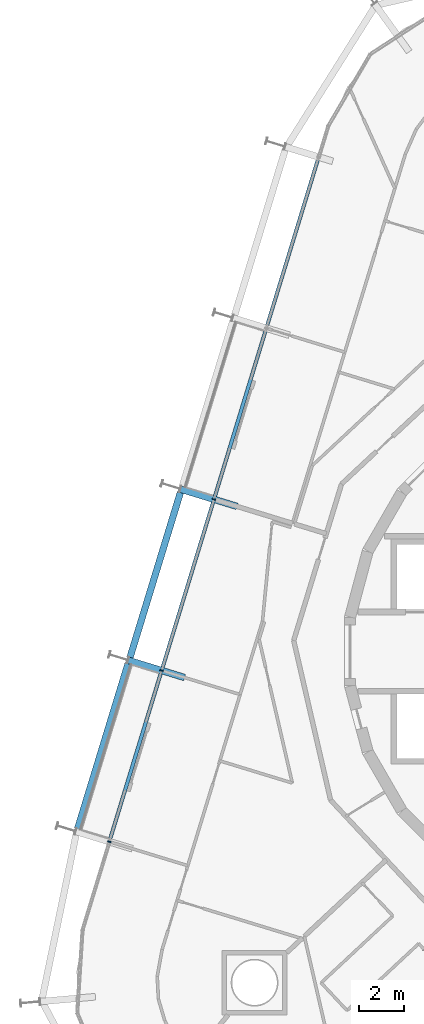
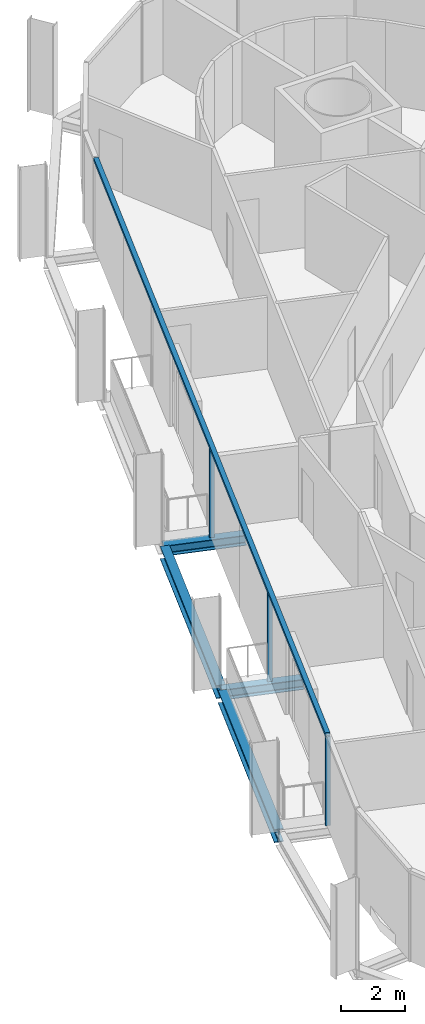
# One storey, part 5 of 18: 4 beams, 4 members, 2 elements without a shape of their own.
"""IFC4 building model written with IfcOpenShell, lengths in metres."""

from ifc_helpers import new_model, si_unit, direction, frame, origin, origin_2d, place, context, subcontext, project, spatial, rectangle, i_section, extrude, material, layer, layer_set, material_profile, profile_set, type_object, element, aggregate, save


model = new_model("IFC4")

# Units and contexts
model_context = context("Model", 3, precision=1e-05, world=origin(), true_north=direction((0.0, 1.0)))
body_context = subcontext(model_context, "Body", "Model", "MODEL_VIEW")
ifc_project = project(units=[si_unit("LENGTHUNIT", "METRE"), si_unit("AREAUNIT", "SQUARE_METRE"), si_unit("VOLUMEUNIT", "CUBIC_METRE"), si_unit("PLANEANGLEUNIT", "RADIAN"), si_unit("MASSUNIT", "GRAM", prefix="KILO")], contexts=[model_context])

# Site, building, storey
site_placement = place(None, origin())
site = spatial("IfcSite", under=ifc_project, at=site_placement, CompositionType="ELEMENT")
building_placement = place(site_placement, origin())
building = spatial("IfcBuilding", under=site, at=building_placement, Name="Spindle Arch Residences", CompositionType="ELEMENT")
storey_placement = place(building_placement, frame((0.0, 0.0, 116.89990234375)))
storey = spatial("IfcBuildingStorey", under=building, at=storey_placement, Name="L28", CompositionType="ELEMENT", Elevation=116.89990234375)

# Curtain wall, members
ifc_material_1 = material(Name="Aluminium bronze unitised frame with tinted glass", Category="aluminium")
ifc_layer_1 = layer(ifc_material_1, 0.159912109375)
ifc_layer_set_1 = layer_set([ifc_layer_1], Name="CW-C typical residential unitised wall")
curtain_wall_type_1 = type_object("IfcCurtainWallType", Name="CW-C typical residential unitised wall", PredefinedType="NOTDEFINED", material=ifc_layer_set_1)
curtain_wall_1_placement = place(storey_placement, origin())
curtain_wall_1 = element("IfcCurtainWall", 1, at=curtain_wall_1_placement, inside=storey, type_object=curtain_wall_type_1, Name="CW-C L28 run 4", PredefinedType="NOTDEFINED")
ifc_material_2 = material(Name="Aluminium bronze anodised mullion", Category="aluminium")
ifc_material_profile_1 = material_profile(ifc_material_2, rectangle(XDim=0.159912109375, YDim=0.06005859375, at=origin_2d()), Name="MU 60x160")
ifc_profile_set_1 = profile_set([ifc_material_profile_1], Name="Aluminium bronze anodised mullion")
member_type_1 = type_object("IfcMemberType", Name="Bronze mullion 60x160", PredefinedType="MULLION", material=ifc_profile_set_1)
member_1_placement = place(storey_placement, frame((-17.750732421875, 6.826171875, -0.3798828125), z_axis=(0.0, 0.0, 1.0), x_axis=(0.956304755963, -0.292371704723, 0.0)))
member_1 = element("IfcMember", 2, at=member_1_placement, type_object=member_type_1, Name="CW-C mullion 14", PredefinedType="MULLION", context=body_context, shape_type="SweptSolid", body=[
    extrude(rectangle(XDim=0.159912109375, YDim=0.06005859375, at=origin_2d()), origin(), (0.0, 0.0, 1.0), 3.3798828125),
])
member_2_placement = place(storey_placement, frame((-20.09814453125, -0.85205078125, -0.3798828125), z_axis=(0.0, 0.0, 1.0), x_axis=(0.956304755963, -0.292371704723, 0.0)))
member_2 = element("IfcMember", 3, at=member_2_placement, type_object=member_type_1, Name="CW-C mullion 15", PredefinedType="MULLION", context=body_context, shape_type="SweptSolid", body=[
    extrude(rectangle(XDim=0.159912109375, YDim=0.06005859375, at=origin_2d()), origin(), (0.0, 0.0, 1.0), 3.3798828125),
])

# Curtain wall, member
ifc_material_3 = material(Name="Aluminium bronze unitised frame with tinted glass", Category="aluminium")
ifc_layer_2 = layer(ifc_material_3, 0.159912109375)
ifc_layer_set_2 = layer_set([ifc_layer_2], Name="CW-D corner wall on the fillet arcs")
curtain_wall_type_2 = type_object("IfcCurtainWallType", Name="CW-D corner wall on the fillet arcs", PredefinedType="NOTDEFINED", material=ifc_layer_set_2)
curtain_wall_2_placement = place(storey_placement, origin())
curtain_wall_2 = element("IfcCurtainWall", 4, at=curtain_wall_2_placement, inside=storey, type_object=curtain_wall_type_2, Name="CW-D L28 run 5", PredefinedType="NOTDEFINED")
member_3_placement = place(storey_placement, frame((-22.44580078125, -8.5302734375, -0.3798828125), z_axis=(0.0, 0.0, 1.0), x_axis=(0.956304755963, -0.292371704723, 0.0)))
member_3 = element("IfcMember", 5, at=member_3_placement, type_object=member_type_1, Name="CW-D mullion 00", PredefinedType="MULLION", context=body_context, shape_type="SweptSolid", body=[
    extrude(rectangle(XDim=0.159912109375, YDim=0.06005859375, at=origin_2d()), origin(), (0.0, 0.0, 1.0), 3.3798828125),
])
aggregate(curtain_wall_2, [member_3])

# Member
ifc_material_4 = material(Name="Aluminium bronze anodised transom", Category="aluminium")
ifc_material_profile_2 = material_profile(ifc_material_4, rectangle(XDim=0.159912109375, YDim=0.1201171875, at=origin_2d()), Name="TR 120x160")
ifc_profile_set_2 = profile_set([ifc_material_profile_2], Name="Aluminium bronze anodised transom")
member_type_2 = type_object("IfcMemberType", Name="Bronze transom 120x160", PredefinedType="USERDEFINED", material=ifc_profile_set_2)
member_4_placement = place(storey_placement, frame((-13.064453125, 22.154296875, 3.06005859375), z_axis=(-0.292373902287, -0.956304084097, 0.0), x_axis=(0.956304084097, -0.292373902287, 0.0)))
member_4 = element("IfcMember", 6, at=member_4_placement, type_object=member_type_2, Name="CW-C transom 00", ObjectType="TRANSOM", PredefinedType="USERDEFINED", context=body_context, shape_type="SweptSolid", body=[
    extrude(rectangle(XDim=0.159912109375, YDim=0.1201171875, at=origin_2d()), origin(), (0.0, 0.0, 1.0), 32.056640625),
])

aggregate(curtain_wall_1, [member_4, member_1, member_2])

# Beams
ifc_material_5 = material(Name="Steel S460ML, intumescent coating R 120", Category="steel")
ifc_material_profile_3 = material_profile(ifc_material_5, i_section(OverallWidth=0.300048828125, OverallDepth=0.5, WebThickness=0.014404296875, FlangeThickness=0.028076171875, FilletRadius=0.027099609375, at=origin_2d()), Name="HEB 500")
ifc_profile_set_3 = profile_set([ifc_material_profile_3], Name="Steel S460ML, intumescent coating R 120")
beam_type_1 = type_object("IfcBeamType", Name="Exoskeleton edge beam HEB 500", PredefinedType="BEAM", material=ifc_profile_set_3)
beam_1_placement = place(storey_placement, frame((-19.251708984375, 7.1494140625, -0.6298828125), z_axis=(-0.292363030977, -0.95630740775, 0.0), x_axis=(0.95630740775, -0.292363030977, 0.0)))
element("IfcBeam", 7, at=beam_1_placement, inside=storey, type_object=beam_type_1, Name="Exoskeleton edge beam 15", PredefinedType="BEAM", context=body_context, shape_type="SweptSolid", body=[
    extrude(i_section(OverallWidth=0.300048828125, OverallDepth=0.5, WebThickness=0.014404296875, FlangeThickness=0.028076171875, FilletRadius=0.027099609375, at=origin_2d()), origin(), (0.0, 0.0, 1.0), 7.769287109375),
])
beam_2_placement = place(storey_placement, frame((-21.599365234375, -0.529052734375, -0.6298828125), z_axis=(-0.292371816855, -0.956304721681, 0.0), x_axis=(0.956304721681, -0.292371816855, 0.0)))
element("IfcBeam", 8, at=beam_2_placement, inside=storey, type_object=beam_type_1, Name="Exoskeleton edge beam 16", PredefinedType="BEAM", context=body_context, shape_type="SweptSolid", body=[
    extrude(i_section(OverallWidth=0.300048828125, OverallDepth=0.5, WebThickness=0.014404296875, FlangeThickness=0.028076171875, FilletRadius=0.027099609375, at=origin_2d()), origin(), (0.0, 0.0, 1.0), 7.76904296875),
])
ifc_material_6 = material(Name="Steel S460ML, intumescent coating R 120", Category="steel")
ifc_material_profile_4 = material_profile(ifc_material_6, i_section(OverallWidth=0.300048828125, OverallDepth=0.389892578125, WebThickness=0.010986328125, FlangeThickness=0.01904296875, FilletRadius=0.027099609375, at=origin_2d()), Name="HEA 400")
ifc_profile_set_4 = profile_set([ifc_material_profile_4], Name="Steel S460ML, intumescent coating R 120")
beam_type_2 = type_object("IfcBeamType", Name="Floor outrigger HEA 400", PredefinedType="BEAM", material=ifc_profile_set_4)
for number, where, z_axis, x_axis, name in (
    (9, (-19.252197265625, 7.285400390625, -0.574951171875), (0.956291475666, -0.292415139091, 0.0), (0.292415139091, 0.956291475666, 0.0), "Floor outrigger 15"),
    (10, (-21.599609375, -0.39306640625, -0.574951171875), (0.956291475666, -0.292415139091, 0.0), (0.292415139091, 0.956291475666, 0.0), "Floor outrigger 16"),
):
    element("IfcBeam", number, at=place(storey_placement, frame(where, z_axis=z_axis, x_axis=x_axis)), inside=storey, type_object=beam_type_2, Name=name, PredefinedType="BEAM", context=body_context, shape_type="SweptSolid", body=[
        extrude(i_section(OverallWidth=0.300048828125, OverallDepth=0.389892578125, WebThickness=0.010986328125, FlangeThickness=0.01904296875, FilletRadius=0.027099609375, at=origin_2d()), origin(), (0.0, 0.0, 1.0), 2.64990234375),
    ])

save(model, "model.ifc")
